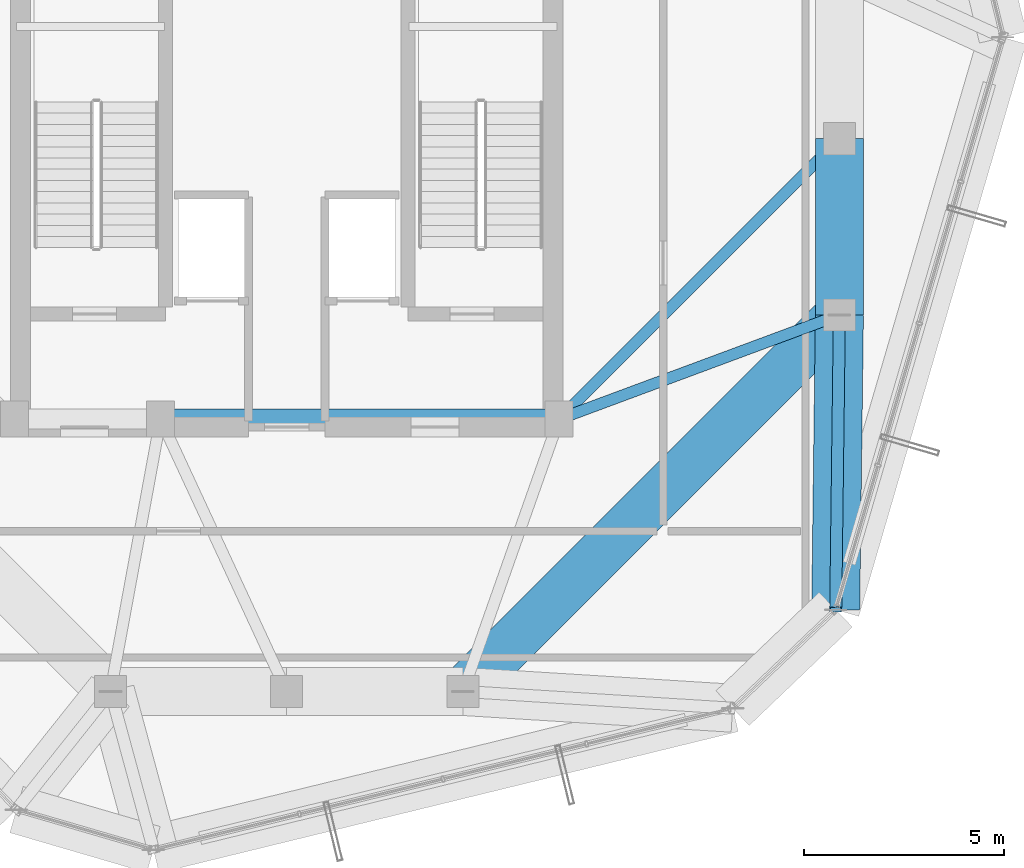
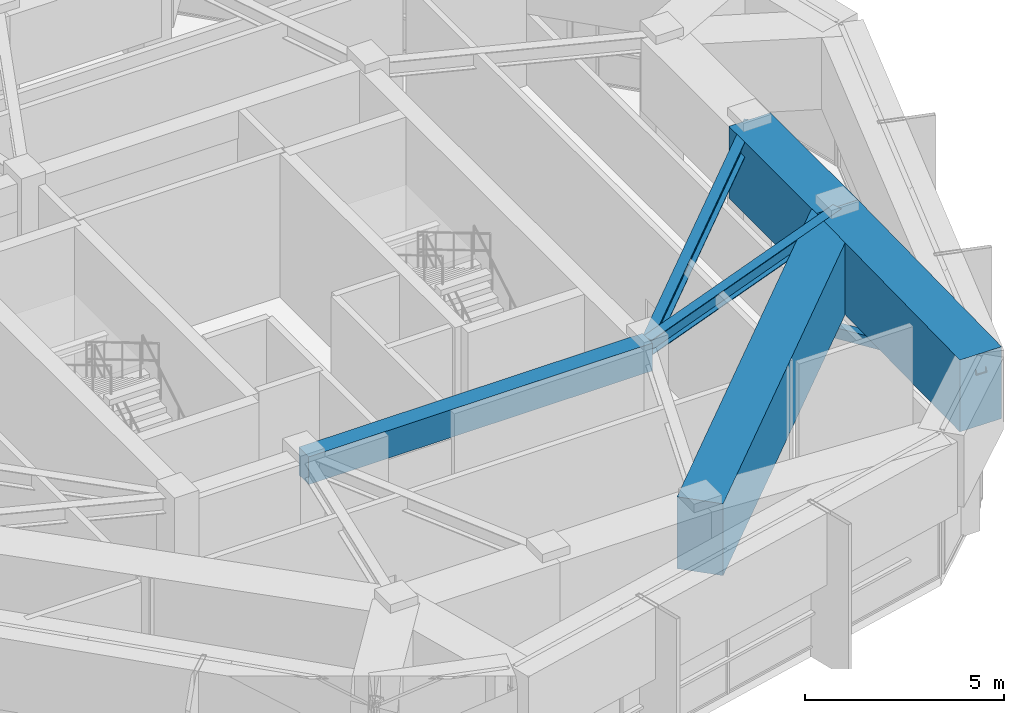
# One storey, part 13 of 39: 6 beams, 1 member.
"""IFC4 building model written with IfcOpenShell, lengths in metres."""

from ifc_helpers import new_model, si_unit, direction, frame, origin, origin_2d, place, context, subcontext, project, spatial, rectangle, hollow_rectangle, i_section, extrude, material, material_profile, profile_set, type_object, element, save


model = new_model("IFC4")

# Units and contexts
model_context = context("Model", 3, precision=1e-05, world=origin(), true_north=direction((0.0, 1.0)))
body_context = subcontext(model_context, "Body", "Model", "MODEL_VIEW")
ifc_project = project(units=[si_unit("LENGTHUNIT", "METRE"), si_unit("AREAUNIT", "SQUARE_METRE"), si_unit("VOLUMEUNIT", "CUBIC_METRE"), si_unit("PLANEANGLEUNIT", "RADIAN"), si_unit("MASSUNIT", "GRAM", prefix="KILO")], contexts=[model_context])

# Site, building, storey
site_placement = place(None, origin())
site = spatial("IfcSite", under=ifc_project, at=site_placement, CompositionType="ELEMENT")
building_placement = place(site_placement, origin())
building = spatial("IfcBuilding", under=site, at=building_placement, Name="Veraguas Prism Commons", CompositionType="ELEMENT")
storey_placement = place(building_placement, frame((0.0, 0.0, 264.25)))
storey = spatial("IfcBuildingStorey", under=building, at=storey_placement, Name="L75", CompositionType="ELEMENT", Elevation=264.25)

# Beams
ifc_material_1 = material(Name="Concrete C50/60", Category="concrete")
ifc_material_profile_1 = material_profile(ifc_material_1, rectangle(XDim=0.5, YDim=0.85009765625, at=origin_2d()), Name="RC500X850")
ifc_profile_set_1 = profile_set([ifc_material_profile_1], Name="Concrete C50/60")
beam_type_1 = type_object("IfcBeamType", Name="Core Coupling Beam RC 500x850", PredefinedType="BEAM", material=ifc_profile_set_1)
beam_1_placement = place(storey_placement, frame((20.85009765625, 17.0, 3.965087890625), z_axis=(1.0, 0.0, 0.0), x_axis=(0.0, 1.0, 0.0)))
element("IfcBeam", 1, at=beam_1_placement, inside=storey, type_object=beam_type_1, Name="Core Coupling Beam L75-CRS2", PredefinedType="BEAM", context=body_context, shape_type="SweptSolid", body=[
    extrude(rectangle(XDim=0.5, YDim=0.85009765625, at=origin_2d()), origin(), (0.0, 0.0, 1.0), 9.949951171875),
])
ifc_material_profile_2 = material_profile(ifc_material_1, rectangle(XDim=1.199951171875, YDim=2.199951171875, at=origin_2d()), Name="RC1200X2200")
ifc_profile_set_2 = profile_set([ifc_material_profile_2], Name="Concrete C50/60")
beam_type_2 = type_object("IfcBeamType", Name="Podium Transfer Girder RC 1200x2200", PredefinedType="BEAM", material=ifc_profile_set_2)
beam_2_placement = place(storey_placement, frame((37.800048828125, 19.60009765625, 3.2900390625), z_axis=(0.0, 1.0, 0.0), x_axis=(-1.0, 0.0, 0.0)))
element("IfcBeam", 2, at=beam_2_placement, inside=storey, type_object=beam_type_2, Name="Perimeter Spandrel Beam L75-SP01", PredefinedType="BEAM", context=body_context, shape_type="SweptSolid", body=[
    extrude(rectangle(XDim=1.199951171875, YDim=2.199951171875, at=origin_2d()), origin(), (0.0, 0.0, 1.0), 4.39990234375),
])
beam_3_placement = place(storey_placement, frame((28.39990234375, 10.199951171875, 3.2900390625), z_axis=(0.707106781187, 0.707106781187, 0.0), x_axis=(-0.707106781187, 0.707106781187, 0.0)))
element("IfcBeam", 3, at=beam_3_placement, inside=storey, type_object=beam_type_2, Name="Perimeter Spandrel Beam L75-SP12", PredefinedType="BEAM", context=body_context, shape_type="SweptSolid", body=[
    extrude(rectangle(XDim=1.199951171875, YDim=2.199951171875, at=origin_2d()), origin(), (0.0, 0.0, 1.0), 13.293701171875),
])
beam_4_placement = place(storey_placement, frame((37.800048828125, 19.60009765625, 3.2900390625), z_axis=(-0.012508561083, -0.999921764889, 0.0), x_axis=(0.999921764889, -0.012508561083, 0.0)))
element("IfcBeam", 4, at=beam_4_placement, inside=storey, type_object=beam_type_2, Name="Crown Rib Support Girder L75-12", PredefinedType="BEAM", context=body_context, shape_type="SweptSolid", body=[
    extrude(rectangle(XDim=1.199951171875, YDim=2.199951171875, at=origin_2d()), origin(), (0.0, 0.0, 1.0), 7.358154296875),
])

# Member
ifc_material_2 = material(Name="Steel ASTM A500 Grade C", Category="steel")
ifc_material_profile_3 = material_profile(ifc_material_2, hollow_rectangle(XDim=0.300048828125, YDim=0.300048828125, WallThickness=0.01611328125, at=origin_2d()), Name="HSS300X300X16")
ifc_profile_set_3 = profile_set([ifc_material_profile_3], Name="Steel ASTM A500 Grade C")
member_type = type_object("IfcMemberType", Name="Sky Pool Bracket Strut HSS 300x300x16", PredefinedType="STRUT", material=ifc_profile_set_3)
member_placement = place(storey_placement, frame((37.800048828125, 19.60009765625, 0.60009765625), z_axis=(-0.011390178791, -0.91051941175, 0.413309405473), x_axis=(0.999921764889, -0.012508561083, 0.0)))
element("IfcMember", 5, at=member_placement, inside=storey, type_object=member_type, Name="Crown Base Raker Strut L75-12", PredefinedType="STRUT", context=body_context, shape_type="SweptSolid", body=[
    extrude(hollow_rectangle(XDim=0.300048828125, YDim=0.300048828125, WallThickness=0.01611328125, at=origin_2d()), origin(), (0.0, 0.0, 1.0), 8.080810546875),
])

# Beams
ifc_material_3 = material(Name="Steel ASTM A992 Grade 50", Category="steel")
ifc_material_profile_4 = material_profile(ifc_material_3, i_section(OverallWidth=0.282958984375, OverallDepth=0.471923828125, WebThickness=0.013671875, FlangeThickness=0.022216796875, at=origin_2d()), Name="W460X144")
ifc_profile_set_4 = profile_set([ifc_material_profile_4], Name="Steel ASTM A992 Grade 50")
beam_type_3 = type_object("IfcBeamType", Name="Zone 4 Radial Girder W460x144", PredefinedType="BEAM", material=ifc_profile_set_4)
beam_5_placement = place(storey_placement, frame((37.800048828125, 19.60009765625, 4.154052734375), z_axis=(-0.937421003341, -0.348198021958, 0.0), x_axis=(0.348198021958, -0.937421003341, 0.0)))
element("IfcBeam", 6, at=beam_5_placement, inside=storey, type_object=beam_type_3, Name="Crown Base Radial Girder L75-RD01", PredefinedType="BEAM", context=body_context, shape_type="SweptSolid", body=[
    extrude(i_section(OverallWidth=0.282958984375, OverallDepth=0.471923828125, WebThickness=0.013671875, FlangeThickness=0.022216796875, at=origin_2d()), origin(), (0.0, 0.0, 1.0), 7.46728515625),
])
beam_6_placement = place(storey_placement, frame((37.800048828125, 24.0, 4.154052734375), z_axis=(-0.707106781187, -0.707106781187, 0.0), x_axis=(0.707106781187, -0.707106781187, 0.0)))
element("IfcBeam", 7, at=beam_6_placement, inside=storey, type_object=beam_type_3, Name="Crown Base Radial Girder L75-RD02", PredefinedType="BEAM", context=body_context, shape_type="SweptSolid", body=[
    extrude(i_section(OverallWidth=0.282958984375, OverallDepth=0.471923828125, WebThickness=0.013671875, FlangeThickness=0.022216796875, at=origin_2d()), origin(), (0.0, 0.0, 1.0), 9.8994140625),
])

save(model, "model.ifc")
